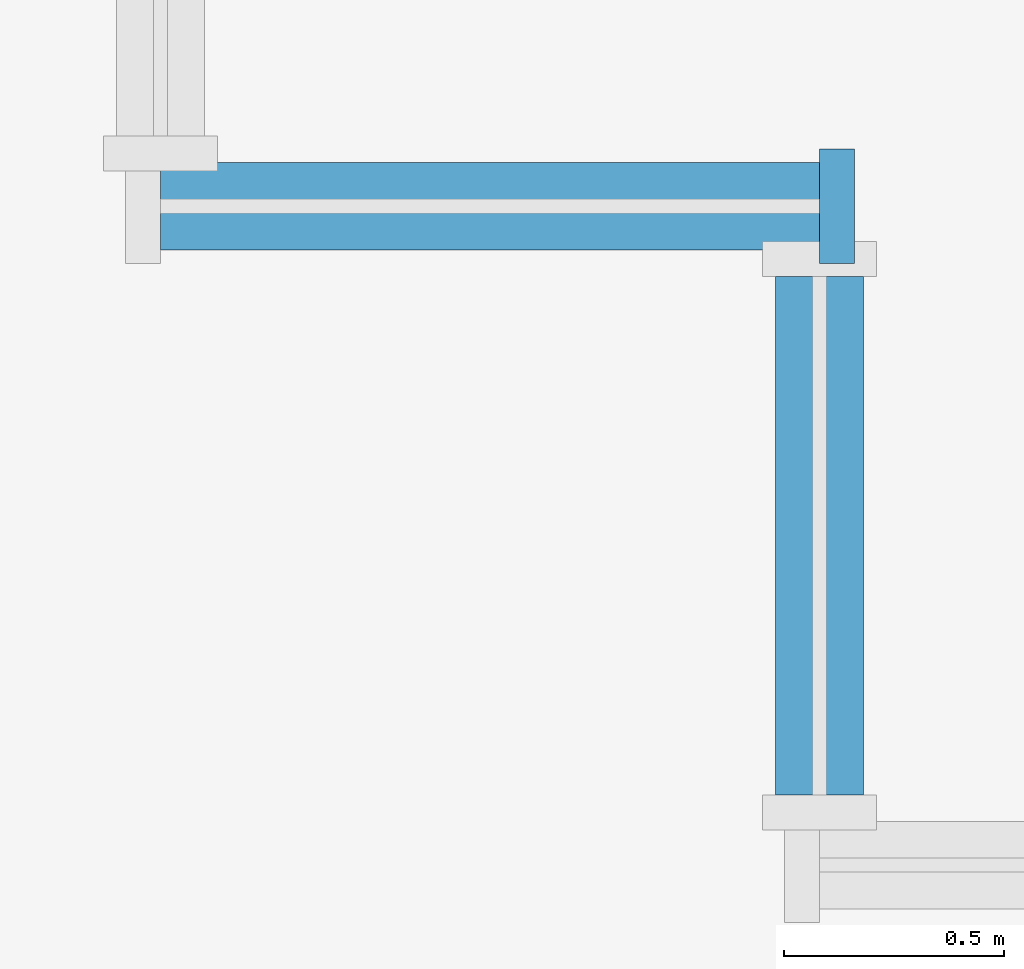
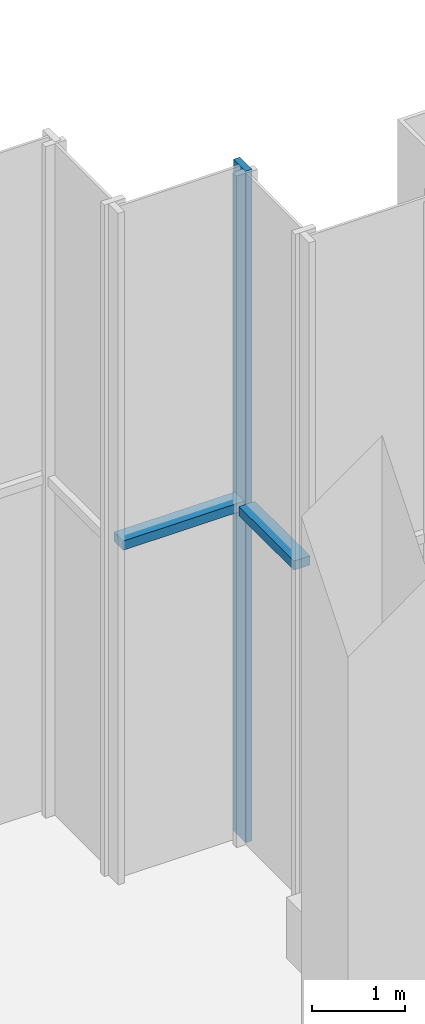
# One storey, part 6 of 16: 3 members, 2 elements without a shape of their own.
"""IFC4 building model written with IfcOpenShell, lengths in metres."""

from ifc_helpers import new_model, si_unit, direction, frame, origin, origin_2d, place, context, subcontext, project, spatial, rectangle, extrude, material, material_profile, profile_set, type_object, element, aggregate, save


model = new_model("IFC4")

# Units and contexts
model_context = context("Model", 3, precision=1e-05, world=origin(), true_north=direction((0.0, 1.0)))
body_context = subcontext(model_context, "Body", "Model", "MODEL_VIEW")
ifc_project = project(units=[si_unit("LENGTHUNIT", "METRE"), si_unit("AREAUNIT", "SQUARE_METRE"), si_unit("VOLUMEUNIT", "CUBIC_METRE"), si_unit("PLANEANGLEUNIT", "RADIAN"), si_unit("MASSUNIT", "GRAM", prefix="KILO")], contexts=[model_context])

# Site, building, storey
site_placement = place(None, origin())
site = spatial("IfcSite", under=ifc_project, at=site_placement, CompositionType="ELEMENT")
building_placement = place(site_placement, origin())
building = spatial("IfcBuilding", under=site, at=building_placement, Name="Vidyagriha Tower", CompositionType="ELEMENT")
storey_placement = place(building_placement, frame((0.0, 0.0, 64.0)))
storey = spatial("IfcBuildingStorey", under=building, at=storey_placement, Name="L17", CompositionType="ELEMENT", Elevation=64.0)

# Curtain wall, member
ifc_material_1 = material(Name="Aluminium and glass curtain wall", Category="aluminium")
curtain_wall_type = type_object("IfcCurtainWallType", Name="Winter garden glazing wall", PredefinedType="USERDEFINED", material=ifc_material_1)
curtain_wall_1_placement = place(storey_placement, origin())
curtain_wall_1 = element("IfcCurtainWall", 1, at=curtain_wall_1_placement, inside=storey, type_object=curtain_wall_type, Name="CW3 winter garden glazing", ObjectType="STICK GLAZING", PredefinedType="USERDEFINED")
ifc_material_2 = material(Name="Aluminium black anodised", Category="aluminium")
ifc_material_profile_1 = material_profile(ifc_material_2, rectangle(XDim=0.260009765625, YDim=0.080078125, at=origin_2d()), Name="Mullion 80x260 black aluminium")
ifc_profile_set_1 = profile_set([ifc_material_profile_1], Name="Aluminium black anodised")
member_type_1 = type_object("IfcMemberType", Name="Mullion 80x260 black aluminium", PredefinedType="MULLION", material=ifc_profile_set_1)
member_1_placement = place(storey_placement, frame((35.139892578125, 15.60009765625, 0.0), z_axis=(0.0, 0.0, 1.0), x_axis=(0.0, -1.0, 0.0)))
member_1 = element("IfcMember", 2, at=member_1_placement, type_object=member_type_1, Name="CW3 mullion 1", PredefinedType="MULLION", context=body_context, shape_type="SweptSolid", body=[
    extrude(rectangle(XDim=0.260009765625, YDim=0.080078125, at=origin_2d()), origin(), (0.0, 0.0, 1.0), 8.800048828125),
])

curtain_wall_2_placement = place(storey_placement, origin())
curtain_wall_2 = element("IfcCurtainWall", 3, at=curtain_wall_2_placement, inside=storey, type_object=curtain_wall_type, Name="CW3 winter garden glazing", ObjectType="STICK GLAZING", PredefinedType="USERDEFINED")
ifc_material_3 = material(Name="Aluminium black anodised", Category="aluminium")
ifc_material_profile_2 = material_profile(ifc_material_3, rectangle(XDim=0.199951171875, YDim=0.1201171875, at=origin_2d()), Name="Transom 120x200 black aluminium")
ifc_profile_set_2 = profile_set([ifc_material_profile_2], Name="Aluminium black anodised")
member_type_2 = type_object("IfcMemberType", Name="Transom 120x200 black aluminium", PredefinedType="USERDEFINED", material=ifc_profile_set_2)
member_2_placement = place(storey_placement, frame((35.10009765625, 14.260009765625, 4.39990234375), z_axis=(0.0, 1.0, 0.0), x_axis=(-1.0, 0.0, 0.0)))
member_2 = element("IfcMember", 4, at=member_2_placement, type_object=member_type_2, Name="CW3 transom 1.1", ObjectType="TRANSOM", PredefinedType="USERDEFINED", context=body_context, shape_type="SweptSolid", body=[
    extrude(rectangle(XDim=0.199951171875, YDim=0.1201171875, at=origin_2d()), origin(), (0.0, 0.0, 1.0), 1.179931640625),
])
aggregate(curtain_wall_2, [member_2])

# Member
member_3_placement = place(storey_placement, frame((35.10009765625, 15.60009765625, 4.39990234375), z_axis=(-1.0, 0.0, 0.0), x_axis=(0.0, -1.0, 0.0)))
member_3 = element("IfcMember", 5, at=member_3_placement, type_object=member_type_2, Name="CW3 transom 1.1", ObjectType="TRANSOM", PredefinedType="USERDEFINED", context=body_context, shape_type="SweptSolid", body=[
    extrude(rectangle(XDim=0.199951171875, YDim=0.1201171875, at=origin_2d()), origin(), (0.0, 0.0, 1.0), 1.5),
])

aggregate(curtain_wall_1, [member_1, member_3])

save(model, "model.ifc")
